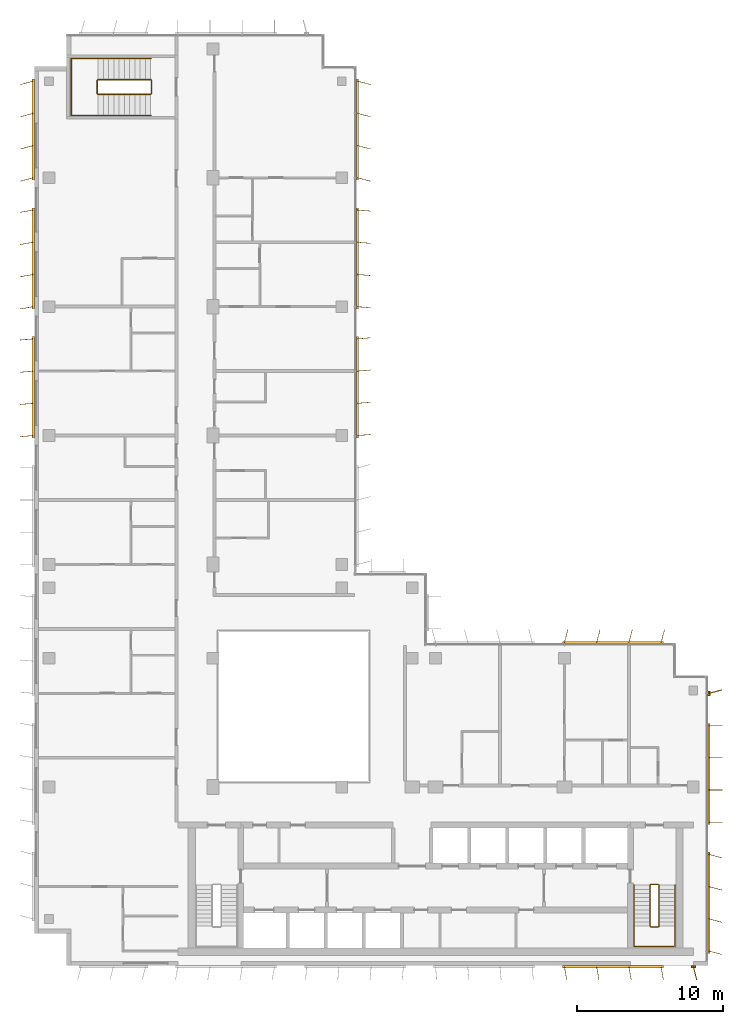
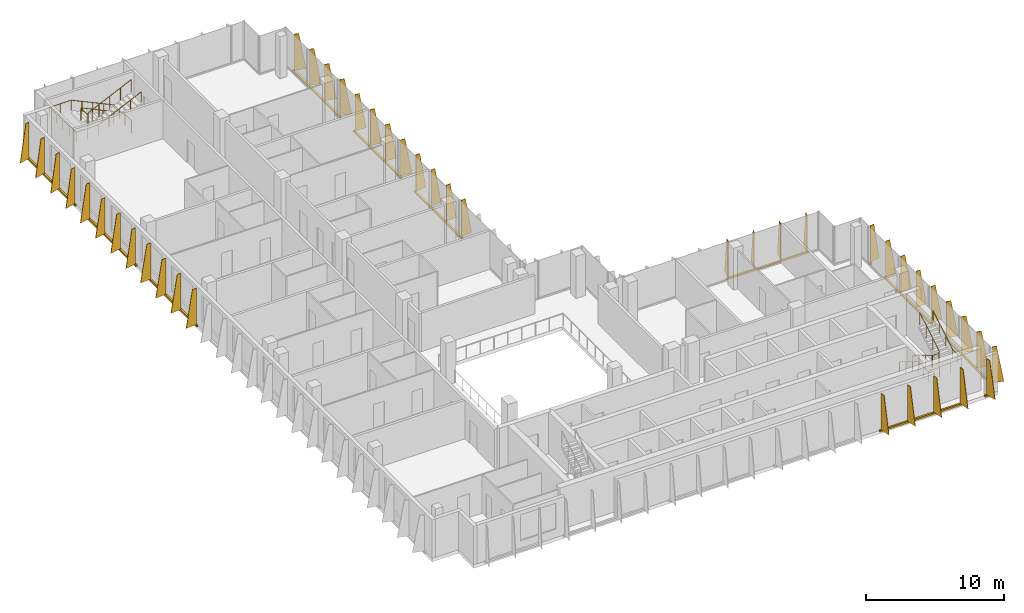
# One storey, part 15 of 16: 12 shading devices, 4 railings.
"""IFC4 building model written with IfcOpenShell, lengths in metres."""

import ifcopenshell
import ifcopenshell.guid

model = None  # the IFC model being written
_history = None  # IfcOwnerHistory: only IFC2X3 demands one
_inside = {}  # id of a spatial element -> (the spatial element, [elements in it])
_under = {}  # id of a project, library or spatial element -> (it, [spatial elements below it])
_declared = {}  # id of a project -> (the project, [libraries it declares])
_typed = {}  # id of a type object -> (the type object, [elements of that type])
_made_of = {}  # id of a material, layer set ... -> (it, [elements and type objects made of it])


def new_model(schema):
    """Start an empty IFC model of exactly this schema.

    Asked for "IFC4X3", IfcOpenShell would pick the latest addendum, in which some entities
    have other attributes; the version numbers below select the first issue.
    IFC2X3 requires an IfcOwnerHistory on every rooted entity: one is made here for all.
    """
    global model, _history
    if schema == "IFC4X3":
        model = ifcopenshell.file(schema_version=(4, 3, 0, 0))
    else:
        model = ifcopenshell.file(schema=schema)
    _inside.clear()
    _under.clear()
    _declared.clear()
    _typed.clear()
    _made_of.clear()
    _history = None
    if model.schema == "IFC2X3":
        org = make("IfcOrganization", Name="unknown")
        user = make(
            "IfcPersonAndOrganization",
            ThePerson=make("IfcPerson", FamilyName="unknown"),
            TheOrganization=org,
        )
        app = make(
            "IfcApplication",
            ApplicationDeveloper=org,
            Version="unknown",
            ApplicationFullName="unknown",
            ApplicationIdentifier="unknown",
        )
        _history = make(
            "IfcOwnerHistory",
            OwningUser=user,
            OwningApplication=app,
            ChangeAction="ADDED",
            CreationDate=0,
        )
    return model


def make(cls, **values):
    """One entity of the class cls with the attributes given. An attribute that is None is left unset."""
    return model.create_entity(
        cls, **{name: value for name, value in values.items() if value is not None}
    )


def rooted(cls, **values):
    """An entity with a GlobalId (a new one), such as an element, a storey or a relation."""
    return make(cls, GlobalId=ifcopenshell.guid.new(), OwnerHistory=_history, **values)


def si_unit(unit_type, name, prefix=None):
    """IfcSIUnit, for example si_unit("LENGTHUNIT", "METRE", prefix="MILLI")."""
    return make("IfcSIUnit", UnitType=unit_type, Prefix=prefix, Name=name)


def assignment(units):
    """IfcUnitAssignment: the units of a project."""
    return None if units is None else make("IfcUnitAssignment", Units=units)


def point(xyz):
    """IfcCartesianPoint."""
    return None if xyz is None else make("IfcCartesianPoint", Coordinates=xyz)


def direction(xyz):
    """IfcDirection."""
    return None if xyz is None else make("IfcDirection", DirectionRatios=xyz)


def frame(location, z_axis=None, x_axis=None):
    """IfcAxis2Placement3D, a coordinate frame: its origin and axes. An axis left out is left unset."""
    return make(
        "IfcAxis2Placement3D",
        Location=point(location),
        Axis=direction(z_axis),
        RefDirection=direction(x_axis),
    )


def frame_2d(location, x_axis=None):
    """IfcAxis2Placement2D, a coordinate frame in the plane: its origin and x axis."""
    return make(
        "IfcAxis2Placement2D", Location=point(location), RefDirection=direction(x_axis)
    )


def origin():
    """The frame at (0, 0, 0) with its axes left unset."""
    return frame((0.0, 0.0, 0.0))


def origin_2d():
    """The frame at (0, 0) in the plane with its x axis left unset."""
    return frame_2d((0.0, 0.0))


def place(relative_to, where):
    """IfcLocalPlacement: puts the frame where relative to a parent placement (None: the world)."""
    return make(
        "IfcLocalPlacement", PlacementRelTo=relative_to, RelativePlacement=where
    )


def context(
    kind, dimensions, precision=None, world=None, true_north=None, identifier=None
):
    """IfcGeometricRepresentationContext, for example the 3D "Model" context."""
    return make(
        "IfcGeometricRepresentationContext",
        ContextIdentifier=identifier,
        ContextType=kind,
        CoordinateSpaceDimension=dimensions,
        Precision=precision,
        WorldCoordinateSystem=world,
        TrueNorth=true_north,
    )


def subcontext(parent, identifier, kind, view, scale=None):
    """IfcGeometricRepresentationSubContext, for example "Body" below "Model"."""
    return make(
        "IfcGeometricRepresentationSubContext",
        ContextIdentifier=identifier,
        ContextType=kind,
        ParentContext=parent,
        TargetScale=scale,
        TargetView=view,
    )


def project(units=None, contexts=None):
    """IfcProject with its units and contexts."""
    return rooted(
        "IfcProject",
        Name="project",
        RepresentationContexts=contexts,
        UnitsInContext=assignment(units),
    )


def spatial(cls, under=None, at=None, **own):
    """A site, building, storey or space (cls), placed at a placement, below another one or the project."""
    s = rooted(cls, ObjectPlacement=at, **own)
    if under is not None:
        _under.setdefault(under.id(), (under, []))[1].append(s)
    return s


def polyline(points):
    """IfcPolyline through the points."""
    return make("IfcPolyline", Points=[point(p) for p in points])


def profile(cls, at=None, kind="AREA", **sizes):
    """A parametric profile (cls). Its sizes go by their IFC names, for example OverallWidth=200.0."""
    return make(cls, ProfileType=kind, Position=at, **sizes)


def rectangle(**sizes):
    """IfcRectangleProfileDef."""
    return profile("IfcRectangleProfileDef", **sizes)


def circle(**sizes):
    """IfcCircleProfileDef."""
    return profile("IfcCircleProfileDef", **sizes)


def outline(outer, holes=None, kind="AREA"):
    """IfcArbitraryClosedProfileDef: a profile drawn as a closed curve; with holes, ...WithVoids."""
    if holes is None:
        return make("IfcArbitraryClosedProfileDef", ProfileType=kind, OuterCurve=outer)
    return make(
        "IfcArbitraryProfileDefWithVoids",
        ProfileType=kind,
        OuterCurve=outer,
        InnerCurves=holes,
    )


def extrude(swept, where, along, depth):
    """IfcExtrudedAreaSolid: the profile swept, set in the frame where, extruded along a direction by depth."""
    return make(
        "IfcExtrudedAreaSolid",
        SweptArea=swept,
        Position=where,
        ExtrudedDirection=direction(along),
        Depth=depth,
    )


def shape(context_of_items, identifier, shape_type, items):
    """IfcShapeRepresentation: the items that make up one representation, for example the "Body"."""
    return make(
        "IfcShapeRepresentation",
        ContextOfItems=context_of_items,
        RepresentationIdentifier=identifier,
        RepresentationType=shape_type,
        Items=items,
    )


def source(mapping_origin, context_of_items, identifier, shape_type, items):
    """IfcRepresentationMap: a shape defined once, which mapped items show again and again."""
    return make(
        "IfcRepresentationMap",
        MappingOrigin=mapping_origin,
        MappedRepresentation=shape(context_of_items, identifier, shape_type, items),
    )


def transform(
    local_origin,
    x_axis=None,
    y_axis=None,
    z_axis=None,
    scale=None,
    scale2=None,
    scale3=None,
    uniform=True,
):
    """IfcCartesianTransformationOperator3D, or its non-uniform kind. x_axis, y_axis, z_axis: its Axis1, 2, 3."""
    if uniform:
        return make(
            "IfcCartesianTransformationOperator3D",
            Axis1=direction(x_axis),
            Axis2=direction(y_axis),
            LocalOrigin=point(local_origin),
            Scale=scale,
            Axis3=direction(z_axis),
        )
    return make(
        "IfcCartesianTransformationOperator3DnonUniform",
        Axis1=direction(x_axis),
        Axis2=direction(y_axis),
        LocalOrigin=point(local_origin),
        Scale=scale,
        Axis3=direction(z_axis),
        Scale2=scale2,
        Scale3=scale3,
    )


def mapped(mapping_source, mapping_target):
    """IfcMappedItem: shows the shape of a source again, moved by a transform."""
    return make(
        "IfcMappedItem", MappingSource=mapping_source, MappingTarget=mapping_target
    )


def material(Name=None, Category=None):
    """IfcMaterial."""
    return make("IfcMaterial", Name=Name, Category=Category)


def layer(
    of_material, thickness, ventilated=None, Name=None, Category=None, Priority=None
):
    """IfcMaterialLayer: one layer of a wall or slab, of a material (None: an air gap)."""
    return make(
        "IfcMaterialLayer",
        Material=of_material,
        LayerThickness=thickness,
        IsVentilated=ventilated,
        Name=Name,
        Category=Category,
        Priority=Priority,
    )


def layer_set(layers, Name=None):
    """IfcMaterialLayerSet."""
    return make("IfcMaterialLayerSet", MaterialLayers=layers, LayerSetName=Name)


def made_of(thing, what):
    """Note that an element or type object is made of a material, layer set ...; save() writes the relation."""
    if what is not None:
        _made_of.setdefault(what.id(), (what, []))[1].append(thing)
    return thing


def type_object(cls, material=None, **own):
    """A type object (cls), such as IfcWallType, which elements share."""
    return made_of(rooted(cls, **own), material)


def element(
    cls,
    number,
    at=None,
    inside=None,
    cuts=None,
    type_object=None,
    material=None,
    context=None,
    identifier="Body",
    shape_type=None,
    held_by="IfcProductDefinitionShape",
    body=None,
    shapes=None,
    **own,
):
    """One element of the class cls, such as IfcWall. Its Tag is "e" and its number.

    at: its placement. inside: the storey or other place that contains it. cuts: it is an
    opening in that element (IfcRelVoidsElement). A single representation is given by context,
    identifier, shape_type and body (its items); several are given by shapes. held_by: the class
    of the entity that holds the representations. save() writes the other relations.
    """
    e = rooted(cls, Tag="e%d" % number, ObjectPlacement=at, **own)
    if body is not None:
        shapes = [shape(context, identifier, shape_type, body)]
    if shapes is not None:
        e.Representation = make(held_by, Representations=shapes)
    if inside is not None:
        _inside.setdefault(inside.id(), (inside, []))[1].append(e)
    if cuts is not None:
        rooted(
            "IfcRelVoidsElement", RelatingBuildingElement=cuts, RelatedOpeningElement=e
        )
    if type_object is not None:
        _typed.setdefault(type_object.id(), (type_object, []))[1].append(e)
    return made_of(e, material)


def aggregate(whole, parts):
    """IfcRelAggregates: a whole, such as a stair, and the parts it consists of."""
    return rooted("IfcRelAggregates", RelatingObject=whole, RelatedObjects=parts)


def save(model, path):
    """Write the relations noted so far, then the file.

    IfcRelAggregates (storeys below a building ...), IfcRelContainedInSpatialStructure (elements
    in a storey), IfcRelDefinesByType, IfcRelAssociatesMaterial and IfcRelDeclares: one each for
    every whole, place, type object, material and project.
    """
    for whole, parts in _under.values():
        aggregate(whole, parts)
    for where, things in _inside.values():
        rooted(
            "IfcRelContainedInSpatialStructure",
            RelatedElements=things,
            RelatingStructure=where,
        )
    for kind, things in _typed.values():
        rooted("IfcRelDefinesByType", RelatedObjects=things, RelatingType=kind)
    for what, things in _made_of.values():
        rooted("IfcRelAssociatesMaterial", RelatedObjects=things, RelatingMaterial=what)
    for by, libraries in _declared.values():
        rooted("IfcRelDeclares", RelatingContext=by, RelatedDefinitions=libraries)
    model.write(path)


model = new_model("IFC4")

# Units and contexts
model_context = context("Model", 3, precision=1e-05, world=origin(), true_north=direction((0.0, 1.0)))
body_context = subcontext(model_context, "Body", "Model", "MODEL_VIEW")
ifc_project = project(units=[si_unit("LENGTHUNIT", "METRE"), si_unit("AREAUNIT", "SQUARE_METRE"), si_unit("VOLUMEUNIT", "CUBIC_METRE"), si_unit("PLANEANGLEUNIT", "RADIAN"), si_unit("MASSUNIT", "GRAM", prefix="KILO")], contexts=[model_context])

# Site, building, storey
site_placement = place(None, origin())
site = spatial("IfcSite", under=ifc_project, at=site_placement, CompositionType="ELEMENT")
building_placement = place(site_placement, origin())
building = spatial("IfcBuilding", under=site, at=building_placement, Name="Kemantara Hotel Tower", CompositionType="ELEMENT")
storey_placement = place(building_placement, frame((0.0, 0.0, 287.0)))
storey = spatial("IfcBuildingStorey", under=building, at=storey_placement, Name="L72", CompositionType="ELEMENT", Elevation=287.0)

# Railings
ifc_material_1 = material(Name="Stainless steel balustrade", Category="steel")
railing_type_1 = type_object("IfcRailingType", Name="Stair guard 1100 mm", PredefinedType="GUARDRAIL", material=ifc_material_1)
railing_1_placement = place(storey_placement, frame((42.64990234375, 5.5, 3.699951171875)))
element("IfcRailing", 1, at=railing_1_placement, inside=storey, type_object=railing_type_1, Name="L72 ST2 stair guard 1", PredefinedType="GUARDRAIL", context=body_context, shape_type="SweptSolid", body=[
    extrude(circle(Radius=0.02392578125, at=origin_2d()), frame((0.0, 0.0, 1.076171875), z_axis=(0.0, -0.857242210791, -0.514913383045), x_axis=(1.0, 0.0, 0.0)), (0.0, 0.0, 1.0), 3.266357421875),
    extrude(circle(Radius=0.02392578125, at=origin_2d()), frame((0.0, -2.800048828125, -0.60595703125), z_axis=(-0.273343290215, -0.274683208305, -0.921863645432), x_axis=(0.708833529934, -0.705375805398, 0.0)), (0.0, 0.0, 1.0), 0.18212890625),
    extrude(circle(Radius=0.02392578125, at=origin_2d()), frame((-0.0498046875, -2.85009765625, -0.77392578125), z_axis=(-1.0, 0.0, 0.0), x_axis=(0.0, -1.0, 0.0)), (0.0, 0.0, 1.0), 0.5),
    extrude(circle(Radius=0.02392578125, at=origin_2d()), frame((-0.5498046875, -2.85009765625, -0.77392578125), z_axis=(-0.707106781187, 0.707106781187, 0.0), x_axis=(-0.707106781187, -0.707106781187, 0.0)), (0.0, 0.0, 1.0), 0.07080078125),
    extrude(circle(Radius=0.02392578125, at=origin_2d()), frame((-0.599853515625, -2.800048828125, -0.77392578125), z_axis=(0.0, 0.857242210791, -0.514913383045), x_axis=(-1.0, 0.0, 0.0)), (0.0, 0.0, 1.0), 3.266357421875),
    extrude(circle(Radius=0.02392578125, at=origin_2d()), frame((-0.599853515625, 0.0, -2.45556640625), z_axis=(0.274243871929, 0.274243871929, -0.92172696468), x_axis=(-0.707106781187, 0.707106781187, 0.0)), (0.0, 0.0, 1.0), 0.1826171875),
    extrude(circle(Radius=0.02392578125, at=origin_2d()), frame((-0.5498046875, 0.050048828125, -2.6240234375), z_axis=(1.0, 0.0, 0.0), x_axis=(0.0, 1.0, 0.0)), (0.0, 0.0, 1.0), 0.5),
    extrude(circle(Radius=0.02099609375, at=origin_2d()), origin(), (0.0, 0.0, 1.0), 1.052001953125),
    extrude(circle(Radius=0.02099609375, at=origin_2d()), frame((0.0, -0.933349609375, -0.560546875)), (0.0, 0.0, 1.0), 1.052001953125),
    extrude(circle(Radius=0.02099609375, at=origin_2d()), frame((0.0, -1.86669921875, -1.121337890625)), (0.0, 0.0, 1.0), 1.052001953125),
    extrude(circle(Radius=0.02099609375, at=origin_2d()), frame((0.0, -2.800048828125, -1.681884765625)), (0.0, 0.0, 1.0), 1.052001953125),
    extrude(circle(Radius=0.02099609375, at=origin_2d()), frame((-0.0498046875, -2.85009765625, -1.849853515625)), (0.0, 0.0, 1.0), 1.052001953125),
    extrude(circle(Radius=0.02099609375, at=origin_2d()), frame((-0.5498046875, -2.85009765625, -1.849853515625)), (0.0, 0.0, 1.0), 1.052001953125),
    extrude(circle(Radius=0.02099609375, at=origin_2d()), frame((-0.599853515625, -2.800048828125, -1.849853515625)), (0.0, 0.0, 1.0), 1.052001953125),
    extrude(circle(Radius=0.02099609375, at=origin_2d()), frame((-0.599853515625, -1.86669921875, -2.410400390625)), (0.0, 0.0, 1.0), 1.052001953125),
    extrude(circle(Radius=0.02099609375, at=origin_2d()), frame((-0.599853515625, -0.933349609375, -2.97119140625)), (0.0, 0.0, 1.0), 1.052001953125),
    extrude(circle(Radius=0.02099609375, at=origin_2d()), frame((-0.599853515625, 0.0, -3.53173828125)), (0.0, 0.0, 1.0), 1.052001953125),
    extrude(circle(Radius=0.02099609375, at=origin_2d()), frame((-0.5498046875, 0.050048828125, -3.699951171875)), (0.0, 0.0, 1.0), 1.052001953125),
    extrude(circle(Radius=0.02099609375, at=origin_2d()), frame((-0.0498046875, 0.050048828125, -3.699951171875)), (0.0, 0.0, 1.0), 1.052001953125),
])
railing_2_placement = place(storey_placement, frame((7.949951171875, 59.5, 3.699951171875)))
element("IfcRailing", 2, at=railing_2_placement, inside=storey, type_object=railing_type_1, Name="L72 ST4 stair guard 1", PredefinedType="GUARDRAIL", context=body_context, shape_type="SweptSolid", body=[
    extrude(circle(Radius=0.02392578125, at=origin_2d()), frame((0.0, 0.0, 1.076171875), z_axis=(-0.905994681025, 0.0, -0.423289071386), x_axis=(0.0, -1.0, 0.0)), (0.0, 0.0, 1.0), 3.973388671875),
    extrude(circle(Radius=0.02392578125, at=origin_2d()), frame((-3.599853515625, 0.0, -0.60595703125), z_axis=(-0.274582412415, 0.274582412415, -0.921525364591), x_axis=(-0.707106781187, -0.707106781187, 0.0)), (0.0, 0.0, 1.0), 0.182373046875),
    extrude(circle(Radius=0.02392578125, at=origin_2d()), frame((-3.64990234375, 0.050048828125, -0.77392578125), z_axis=(0.0, 1.0, 0.0), x_axis=(-1.0, 0.0, 0.0)), (0.0, 0.0, 1.0), 0.89990234375),
    extrude(circle(Radius=0.02392578125, at=origin_2d()), frame((-3.64990234375, 0.949951171875, -0.77392578125), z_axis=(0.707106781187, 0.707106781187, 0.0), x_axis=(-0.707106781187, 0.707106781187, 0.0)), (0.0, 0.0, 1.0), 0.07080078125),
    extrude(circle(Radius=0.02392578125, at=origin_2d()), frame((-3.599853515625, 1.0, -0.77392578125), z_axis=(0.905994681025, 0.0, -0.423289071386), x_axis=(0.0, 1.0, 0.0)), (0.0, 0.0, 1.0), 3.973388671875),
    extrude(circle(Radius=0.02392578125, at=origin_2d()), frame((0.0, 1.0, -2.45556640625), z_axis=(0.274243871929, -0.274243871929, -0.92172696468), x_axis=(0.707106781187, 0.707106781187, 0.0)), (0.0, 0.0, 1.0), 0.1826171875),
    extrude(circle(Radius=0.02392578125, at=origin_2d()), frame((0.050048828125, 0.949951171875, -2.6240234375), z_axis=(0.0, -1.0, 0.0), x_axis=(1.0, 0.0, 0.0)), (0.0, 0.0, 1.0), 0.89990234375),
    extrude(circle(Radius=0.02099609375, at=origin_2d()), origin(), (0.0, 0.0, 1.0), 1.052001953125),
    extrude(circle(Radius=0.02099609375, at=origin_2d()), frame((-0.89990234375, 0.0, -0.42041015625)), (0.0, 0.0, 1.0), 1.052001953125),
    extrude(circle(Radius=0.02099609375, at=origin_2d()), frame((-1.7998046875, 0.0, -0.8408203125)), (0.0, 0.0, 1.0), 1.052001953125),
    extrude(circle(Radius=0.02099609375, at=origin_2d()), frame((-2.699951171875, 0.0, -1.261474609375)), (0.0, 0.0, 1.0), 1.052001953125),
    extrude(circle(Radius=0.02099609375, at=origin_2d()), frame((-3.599853515625, 0.0, -1.681884765625)), (0.0, 0.0, 1.0), 1.052001953125),
    extrude(circle(Radius=0.02099609375, at=origin_2d()), frame((-3.64990234375, 0.050048828125, -1.849853515625)), (0.0, 0.0, 1.0), 1.052001953125),
    extrude(circle(Radius=0.02099609375, at=origin_2d()), frame((-3.64990234375, 0.949951171875, -1.849853515625)), (0.0, 0.0, 1.0), 1.052001953125),
    extrude(circle(Radius=0.02099609375, at=origin_2d()), frame((-3.599853515625, 1.0, -1.849853515625)), (0.0, 0.0, 1.0), 1.052001953125),
    extrude(circle(Radius=0.02099609375, at=origin_2d()), frame((-2.699951171875, 1.0, -2.270263671875)), (0.0, 0.0, 1.0), 1.052001953125),
    extrude(circle(Radius=0.02099609375, at=origin_2d()), frame((-1.7998046875, 1.0, -2.69091796875)), (0.0, 0.0, 1.0), 1.052001953125),
    extrude(circle(Radius=0.02099609375, at=origin_2d()), frame((-0.89990234375, 1.0, -3.111328125)), (0.0, 0.0, 1.0), 1.052001953125),
    extrude(circle(Radius=0.02099609375, at=origin_2d()), frame((0.0, 1.0, -3.53173828125)), (0.0, 0.0, 1.0), 1.052001953125),
    extrude(circle(Radius=0.02099609375, at=origin_2d()), frame((0.050048828125, 0.949951171875, -3.699951171875)), (0.0, 0.0, 1.0), 1.052001953125),
    extrude(circle(Radius=0.02099609375, at=origin_2d()), frame((0.050048828125, 0.050048828125, -3.699951171875)), (0.0, 0.0, 1.0), 1.052001953125),
])
railing_type_2 = type_object("IfcRailingType", Name="Stair handrail 900 mm", PredefinedType="HANDRAIL", material=ifc_material_1)
railing_3_placement = place(storey_placement, frame((40.949951171875, 5.5, 0.168212890625)))
element("IfcRailing", 3, at=railing_3_placement, inside=storey, type_object=railing_type_2, Name="L72 ST2 stair handrail 1", PredefinedType="HANDRAIL", context=body_context, shape_type="SweptSolid", body=[
    extrude(circle(Radius=0.02392578125, at=origin_2d()), frame((0.0, 0.0, 0.8759765625), z_axis=(0.0, -0.857242210791, 0.514913383045), x_axis=(1.0, 0.0, 0.0)), (0.0, 0.0, 1.0), 3.266357421875),
    extrude(circle(Radius=0.02392578125, at=origin_2d()), frame((0.0, -2.800048828125, 2.5576171875), z_axis=(0.0, -1.0, 0.0), x_axis=(1.0, 0.0, 0.0)), (0.0, 0.0, 1.0), 1.3798828125),
    extrude(circle(Radius=0.02392578125, at=origin_2d()), frame((0.0, -4.179931640625, 2.5576171875), z_axis=(0.998205573864, 0.0, 0.059880149518), x_axis=(0.0, 1.0, 0.0)), (0.0, 0.0, 1.0), 2.80517578125),
    extrude(circle(Radius=0.02392578125, at=origin_2d()), frame((2.800048828125, -4.179931640625, 2.7255859375), z_axis=(0.0, 1.0, 0.0), x_axis=(-1.0, 0.0, 0.0)), (0.0, 0.0, 1.0), 1.3798828125),
    extrude(circle(Radius=0.02392578125, at=origin_2d()), frame((2.800048828125, -2.800048828125, 2.7255859375), z_axis=(0.0, 0.857242210791, 0.514913383045), x_axis=(-1.0, 0.0, 0.0)), (0.0, 0.0, 1.0), 3.266357421875),
    extrude(circle(Radius=0.02099609375, at=origin_2d()), origin(), (0.0, 0.0, 1.0), 0.851806640625),
    extrude(circle(Radius=0.02099609375, at=origin_2d()), frame((0.0, -0.933349609375, 0.560546875)), (0.0, 0.0, 1.0), 0.851806640625),
    extrude(circle(Radius=0.02099609375, at=origin_2d()), frame((0.0, -1.86669921875, 1.121337890625)), (0.0, 0.0, 1.0), 0.851806640625),
    extrude(circle(Radius=0.02099609375, at=origin_2d()), frame((0.0, -2.800048828125, 1.681884765625)), (0.0, 0.0, 1.0), 0.851806640625),
    extrude(circle(Radius=0.02099609375, at=origin_2d()), frame((0.0, -3.489990234375, 1.681884765625)), (0.0, 0.0, 1.0), 0.851806640625),
    extrude(circle(Radius=0.02099609375, at=origin_2d()), frame((0.0, -4.179931640625, 1.681884765625)), (0.0, 0.0, 1.0), 0.851806640625),
    extrude(circle(Radius=0.02099609375, at=origin_2d()), frame((0.933349609375, -4.179931640625, 1.73779296875)), (0.0, 0.0, 1.0), 0.851806640625),
    extrude(circle(Radius=0.02099609375, at=origin_2d()), frame((1.86669921875, -4.179931640625, 1.7939453125)), (0.0, 0.0, 1.0), 0.851806640625),
    extrude(circle(Radius=0.02099609375, at=origin_2d()), frame((2.800048828125, -4.179931640625, 1.849853515625)), (0.0, 0.0, 1.0), 0.851806640625),
    extrude(circle(Radius=0.02099609375, at=origin_2d()), frame((2.800048828125, -3.489990234375, 1.849853515625)), (0.0, 0.0, 1.0), 0.851806640625),
    extrude(circle(Radius=0.02099609375, at=origin_2d()), frame((2.800048828125, -2.800048828125, 1.849853515625)), (0.0, 0.0, 1.0), 0.851806640625),
    extrude(circle(Radius=0.02099609375, at=origin_2d()), frame((2.800048828125, -1.86669921875, 2.410400390625)), (0.0, 0.0, 1.0), 0.851806640625),
    extrude(circle(Radius=0.02099609375, at=origin_2d()), frame((2.800048828125, -0.933349609375, 2.97119140625)), (0.0, 0.0, 1.0), 0.851806640625),
    extrude(circle(Radius=0.02099609375, at=origin_2d()), frame((2.800048828125, 0.0, 3.53173828125)), (0.0, 0.0, 1.0), 0.851806640625),
])
railing_4_placement = place(storey_placement, frame((7.949951171875, 61.949951171875, 0.168212890625)))
element("IfcRailing", 4, at=railing_4_placement, inside=storey, type_object=railing_type_2, Name="L72 ST4 stair handrail 1", PredefinedType="HANDRAIL", context=body_context, shape_type="SweptSolid", body=[
    extrude(circle(Radius=0.02392578125, at=origin_2d()), frame((0.0, 0.0, 0.8759765625), z_axis=(-0.905994681025, 0.0, 0.423289071386), x_axis=(0.0, -1.0, 0.0)), (0.0, 0.0, 1.0), 3.973388671875),
    extrude(circle(Radius=0.02392578125, at=origin_2d()), frame((-3.599853515625, 0.0, 2.5576171875), z_axis=(-1.0, 0.0, 0.0), x_axis=(0.0, -1.0, 0.0)), (0.0, 0.0, 1.0), 1.830078125),
    extrude(circle(Radius=0.02392578125, at=origin_2d()), frame((-5.429931640625, 0.0, 2.5576171875), z_axis=(0.0, -0.999073776461, 0.043030096294), x_axis=(1.0, 0.0, 0.0)), (0.0, 0.0, 1.0), 3.903564453125),
    extrude(circle(Radius=0.02392578125, at=origin_2d()), frame((-5.429931640625, -3.89990234375, 2.7255859375), z_axis=(1.0, 0.0, 0.0), x_axis=(0.0, 1.0, 0.0)), (0.0, 0.0, 1.0), 1.830078125),
    extrude(circle(Radius=0.02392578125, at=origin_2d()), frame((-3.599853515625, -3.89990234375, 2.7255859375), z_axis=(0.905994681025, 0.0, 0.423289071386), x_axis=(0.0, 1.0, 0.0)), (0.0, 0.0, 1.0), 3.973388671875),
    extrude(circle(Radius=0.02099609375, at=origin_2d()), origin(), (0.0, 0.0, 1.0), 0.851806640625),
    extrude(circle(Radius=0.02099609375, at=origin_2d()), frame((-0.89990234375, 0.0, 0.42041015625)), (0.0, 0.0, 1.0), 0.851806640625),
    extrude(circle(Radius=0.02099609375, at=origin_2d()), frame((-1.7998046875, 0.0, 0.8408203125)), (0.0, 0.0, 1.0), 0.851806640625),
    extrude(circle(Radius=0.02099609375, at=origin_2d()), frame((-2.699951171875, 0.0, 1.261474609375)), (0.0, 0.0, 1.0), 0.851806640625),
    extrude(circle(Radius=0.02099609375, at=origin_2d()), frame((-3.599853515625, 0.0, 1.681884765625)), (0.0, 0.0, 1.0), 0.851806640625),
    extrude(circle(Radius=0.02099609375, at=origin_2d()), frame((-4.514892578125, 0.0, 1.681884765625)), (0.0, 0.0, 1.0), 0.851806640625),
    extrude(circle(Radius=0.02099609375, at=origin_2d()), frame((-5.429931640625, 0.0, 1.681884765625)), (0.0, 0.0, 1.0), 0.851806640625),
    extrude(circle(Radius=0.02099609375, at=origin_2d()), frame((-5.429931640625, -0.97509765625, 1.723876953125)), (0.0, 0.0, 1.0), 0.851806640625),
    extrude(circle(Radius=0.02099609375, at=origin_2d()), frame((-5.429931640625, -1.949951171875, 1.765869140625)), (0.0, 0.0, 1.0), 0.851806640625),
    extrude(circle(Radius=0.02099609375, at=origin_2d()), frame((-5.429931640625, -2.9248046875, 1.807861328125)), (0.0, 0.0, 1.0), 0.851806640625),
    extrude(circle(Radius=0.02099609375, at=origin_2d()), frame((-5.429931640625, -3.89990234375, 1.849853515625)), (0.0, 0.0, 1.0), 0.851806640625),
    extrude(circle(Radius=0.02099609375, at=origin_2d()), frame((-4.514892578125, -3.89990234375, 1.849853515625)), (0.0, 0.0, 1.0), 0.851806640625),
    extrude(circle(Radius=0.02099609375, at=origin_2d()), frame((-3.599853515625, -3.89990234375, 1.849853515625)), (0.0, 0.0, 1.0), 0.851806640625),
    extrude(circle(Radius=0.02099609375, at=origin_2d()), frame((-2.699951171875, -3.89990234375, 2.270263671875)), (0.0, 0.0, 1.0), 0.851806640625),
    extrude(circle(Radius=0.02099609375, at=origin_2d()), frame((-1.7998046875, -3.89990234375, 2.69091796875)), (0.0, 0.0, 1.0), 0.851806640625),
    extrude(circle(Radius=0.02099609375, at=origin_2d()), frame((-0.89990234375, -3.89990234375, 3.111328125)), (0.0, 0.0, 1.0), 0.851806640625),
    extrude(circle(Radius=0.02099609375, at=origin_2d()), frame((0.0, -3.89990234375, 3.53173828125)), (0.0, 0.0, 1.0), 0.851806640625),
])

# Shading devices
ifc_material_2 = material(Name="Perforated aluminium plate 4 mm bronze anodised", Category="aluminium")
ifc_layer_1 = layer(ifc_material_2, 0.0400390625)
ifc_layer_set_1 = layer_set([ifc_layer_1], Name="Perforated aluminium plate 4 mm bronze anodised")
shading_device_type_1 = type_object("IfcShadingDeviceType", Name="SCREEN FIN CASSETTE, 4 BLADES AT -5.0 DEG, 3200 HIGH", PredefinedType="USERDEFINED", material=ifc_layer_set_1)
shared_shape_1 = source(origin(), body_context, "Body", "SweptSolid", [
    extrude(rectangle(XDim=6.89990234375, YDim=0.14990234375, at=origin_2d()), frame((3.300048828125, -0.074951171875, -0.14990234375), z_axis=(0.0, 0.0, 1.0), x_axis=(1.0, 0.0, 0.0)), (0.0, 0.0, 1.0), 0.14990234375),
    extrude(outline(polyline([(0.0, 0.0), (0.89990234375, 0.0), (0.35009765625, 3.199951171875), (0.0, 3.199951171875), (0.0, 0.0)])), frame((0.02001953125, -0.07666015625, 0.0), z_axis=(-0.996376129781, 0.085056498884, 0.0), x_axis=(-0.085056498884, -0.996376129781, 0.0)), (0.0, 0.0, 1.0), 0.040283203125),
    extrude(outline(polyline([(0.0, 0.0), (0.89990234375, 0.0), (0.35009765625, 3.199951171875), (0.0, 3.199951171875), (0.0, 0.0)])), frame((2.219970703125, -0.07666015625, 0.0), z_axis=(-0.996331773833, 0.085574508182, 0.0), x_axis=(-0.085574508182, -0.996331773833, 0.0)), (0.0, 0.0, 1.0), 0.0400390625),
    extrude(outline(polyline([(0.0, 0.0), (0.89990234375, 0.0), (0.35009765625, 3.199951171875), (0.0, 3.199951171875), (0.0, 0.0)])), frame((4.419921875, -0.07666015625, 0.0), z_axis=(-0.996331773833, 0.085574508182, 0.0), x_axis=(-0.085574508182, -0.996331773833, 0.0)), (0.0, 0.0, 1.0), 0.0400390625),
    extrude(outline(polyline([(0.0, 0.0), (0.89990234375, 0.0), (0.35009765625, 3.199951171875), (0.0, 3.199951171875), (0.0, 0.0)])), frame((6.619873046875, -0.07666015625, 0.0), z_axis=(-0.996331773833, 0.085574508182, 0.0), x_axis=(-0.085574508182, -0.996331773833, 0.0)), (0.0, 0.0, 1.0), 0.0400390625),
])
shading_device_1_placement = place(storey_placement, frame((22.0, 45.0, 0.10009765625), z_axis=(0.0, 0.0, 1.0), x_axis=(0.0, 1.0, 0.0)))
element("IfcShadingDevice", 5, at=shading_device_1_placement, inside=storey, type_object=shading_device_type_1, Name="SCREEN FIN CASSETTE L72 T4-R15-3", ObjectType="SCREEN FIN", PredefinedType="USERDEFINED", context=body_context, shape_type="MappedRepresentation", body=[
    mapped(shared_shape_1, transform((0.0, 0.0, 0.0))),
])
ifc_layer_2 = layer(ifc_material_2, 0.0400390625)
ifc_layer_set_2 = layer_set([ifc_layer_2], Name="Perforated aluminium plate 4 mm bronze anodised")
shading_device_type_2 = type_object("IfcShadingDeviceType", Name="SCREEN FIN CASSETTE, 4 BLADES AT +0.0 DEG, 3200 HIGH", PredefinedType="USERDEFINED", material=ifc_layer_set_2)
shared_shape_2 = source(origin(), body_context, "Body", "SweptSolid", [
    extrude(rectangle(XDim=6.89990234375, YDim=0.14990234375, at=origin_2d()), frame((3.300048828125, -0.074951171875, -0.14990234375), z_axis=(0.0, 0.0, 1.0), x_axis=(1.0, 0.0, 0.0)), (0.0, 0.0, 1.0), 0.14990234375),
    extrude(outline(polyline([(0.0, 0.0), (0.89990234375, 0.0), (0.35009765625, 3.199951171875), (0.0, 3.199951171875), (0.0, 0.0)])), frame((0.02001953125, -0.074951171875, 0.0), z_axis=(-1.0, 0.0, 0.0), x_axis=(0.0, -1.0, 0.0)), (0.0, 0.0, 1.0), 0.0400390625),
    extrude(outline(polyline([(0.0, 0.0), (0.89990234375, 0.0), (0.35009765625, 3.199951171875), (0.0, 3.199951171875), (0.0, 0.0)])), frame((2.219970703125, -0.074951171875, 0.0), z_axis=(-1.0, 0.0, 0.0), x_axis=(0.0, -1.0, 0.0)), (0.0, 0.0, 1.0), 0.0400390625),
    extrude(outline(polyline([(0.0, 0.0), (0.89990234375, 0.0), (0.35009765625, 3.199951171875), (0.0, 3.199951171875), (0.0, 0.0)])), frame((4.419921875, -0.074951171875, 0.0), z_axis=(-1.0, 0.0, 0.0), x_axis=(0.0, -1.0, 0.0)), (0.0, 0.0, 1.0), 0.0400390625),
    extrude(outline(polyline([(0.0, 0.0), (0.89990234375, 0.0), (0.35009765625, 3.199951171875), (0.0, 3.199951171875), (0.0, 0.0)])), frame((6.6201171875, -0.074951171875, 0.0), z_axis=(-1.0, 0.0, 0.0), x_axis=(0.0, -1.0, 0.0)), (0.0, 0.0, 1.0), 0.0400390625),
])
shading_device_2_placement = place(storey_placement, frame((46.0, 9.800048828125, 0.10009765625), z_axis=(0.0, 0.0, 1.0), x_axis=(0.0, 1.0, 0.0)))
element("IfcShadingDevice", 6, at=shading_device_2_placement, inside=storey, type_object=shading_device_type_2, Name="SCREEN FIN CASSETTE L72 T4-R09-2", ObjectType="SCREEN FIN", PredefinedType="USERDEFINED", context=body_context, shape_type="MappedRepresentation", body=[
    mapped(shared_shape_2, transform((0.0, 0.0, 0.0))),
])
ifc_layer_3 = layer(ifc_material_2, 0.0400390625)
ifc_layer_set_3 = layer_set([ifc_layer_3], Name="Perforated aluminium plate 4 mm bronze anodised")
shading_device_type_3 = type_object("IfcShadingDeviceType", Name="SCREEN FIN CASSETTE, 4 BLADES AT +5.0 DEG, 3200 HIGH", PredefinedType="USERDEFINED", material=ifc_layer_set_3)
shared_shape_3 = source(origin(), body_context, "Body", "SweptSolid", [
    extrude(rectangle(XDim=6.89990234375, YDim=0.14990234375, at=origin_2d()), frame((3.300048828125, -0.074951171875, -0.14990234375), z_axis=(0.0, 0.0, 1.0), x_axis=(1.0, 0.0, 0.0)), (0.0, 0.0, 1.0), 0.14990234375),
    extrude(outline(polyline([(0.0, 0.0), (0.89990234375, 0.0), (0.35009765625, 3.199951171875), (0.0, 3.199951171875), (0.0, 0.0)])), frame((0.02001953125, -0.0732421875, 0.0), z_axis=(-0.996376129781, -0.085056498884, 0.0), x_axis=(0.085056498884, -0.996376129781, 0.0)), (0.0, 0.0, 1.0), 0.040283203125),
    extrude(outline(polyline([(0.0, 0.0), (0.89990234375, 0.0), (0.35009765625, 3.199951171875), (0.0, 3.199951171875), (0.0, 0.0)])), frame((2.219970703125, -0.0732421875, 0.0), z_axis=(-0.996331773833, -0.085574508182, 0.0), x_axis=(0.085574508182, -0.996331773833, 0.0)), (0.0, 0.0, 1.0), 0.0400390625),
    extrude(outline(polyline([(0.0, 0.0), (0.89990234375, 0.0), (0.35009765625, 3.199951171875), (0.0, 3.199951171875), (0.0, 0.0)])), frame((4.419921875, -0.0732421875, 0.0), z_axis=(-0.996331773833, -0.085574508182, 0.0), x_axis=(0.085574508182, -0.996331773833, 0.0)), (0.0, 0.0, 1.0), 0.0400390625),
    extrude(outline(polyline([(0.0, 0.0), (0.89990234375, 0.0), (0.35009765625, 3.199951171875), (0.0, 3.199951171875), (0.0, 0.0)])), frame((6.619873046875, -0.0732421875, 0.0), z_axis=(-0.996331773833, -0.085574508182, 0.0), x_axis=(0.085574508182, -0.996331773833, 0.0)), (0.0, 0.0, 1.0), 0.0400390625),
])
for number, where, z_axis, x_axis, name in (
    (7, (0.0, 42.800048828125, 0.10009765625), (0.0, 0.0, 1.0), (0.0, -1.0, 0.0), "SCREEN FIN CASSETTE L72 T4-R05-3"),
    (8, (22.0, 36.199951171875, 0.10009765625), (0.0, 0.0, 1.0), (0.0, 1.0, 0.0), "SCREEN FIN CASSETTE L72 T4-R15-2"),
):
    element("IfcShadingDevice", number, at=place(storey_placement, frame(where, z_axis=z_axis, x_axis=x_axis)), inside=storey, type_object=shading_device_type_3, Name=name, ObjectType="SCREEN FIN", PredefinedType="USERDEFINED", context=body_context, shape_type="MappedRepresentation", body=[
        mapped(shared_shape_3, transform((0.0, 0.0, 0.0))),
    ])
ifc_layer_4 = layer(ifc_material_2, 0.0400390625)
ifc_layer_set_4 = layer_set([ifc_layer_4], Name="Perforated aluminium plate 4 mm bronze anodised")
shading_device_type_4 = type_object("IfcShadingDeviceType", Name="SCREEN FIN CASSETTE, 4 BLADES AT +10.0 DEG, 3200 HIGH", PredefinedType="USERDEFINED", material=ifc_layer_set_4)
shared_shape_4 = source(origin(), body_context, "Body", "SweptSolid", [
    extrude(rectangle(XDim=6.89990234375, YDim=0.14990234375, at=origin_2d()), frame((3.300048828125, -0.074951171875, -0.14990234375), z_axis=(0.0, 0.0, 1.0), x_axis=(1.0, 0.0, 0.0)), (0.0, 0.0, 1.0), 0.14990234375),
    extrude(outline(polyline([(0.0, 0.0), (0.89990234375, 0.0), (0.35009765625, 3.199951171875), (0.0, 3.199951171875), (0.0, 0.0)])), frame((0.019775390625, -0.071533203125, 0.0), z_axis=(-0.985389793052, -0.170314285219, 0.0), x_axis=(0.170314285219, -0.985389793052, 0.0)), (0.0, 0.0, 1.0), 0.0400390625),
    extrude(outline(polyline([(0.0, 0.0), (0.89990234375, 0.0), (0.35009765625, 3.199951171875), (0.0, 3.199951171875), (0.0, 0.0)])), frame((2.2197265625, -0.071533203125, 0.0), z_axis=(-0.98521175482, -0.171341174751, 0.0), x_axis=(0.171341174751, -0.98521175482, 0.0)), (0.0, 0.0, 1.0), 0.039794921875),
    extrude(outline(polyline([(0.0, 0.0), (0.89990234375, 0.0), (0.35009765625, 3.199951171875), (0.0, 3.199951171875), (0.0, 0.0)])), frame((4.419677734375, -0.071533203125, 0.0), z_axis=(-0.98521175482, -0.171341174751, 0.0), x_axis=(0.171341174751, -0.98521175482, 0.0)), (0.0, 0.0, 1.0), 0.039794921875),
    extrude(outline(polyline([(0.0, 0.0), (0.89990234375, 0.0), (0.35009765625, 3.199951171875), (0.0, 3.199951171875), (0.0, 0.0)])), frame((6.61962890625, -0.071533203125, 0.0), z_axis=(-0.98521175482, -0.171341174751, 0.0), x_axis=(0.171341174751, -0.98521175482, 0.0)), (0.0, 0.0, 1.0), 0.039794921875),
])
for number, where, z_axis, x_axis, name in (
    (9, (0.0, 51.60009765625, 0.10009765625), (0.0, 0.0, 1.0), (0.0, -1.0, 0.0), "SCREEN FIN CASSETTE L72 T4-R05-2"),
    (10, (36.199951171875, 0.0, 0.10009765625), (0.0, 0.0, 1.0), (1.0, 0.0, 0.0), "SCREEN FIN CASSETTE L72 T4-R08-5"),
):
    element("IfcShadingDevice", number, at=place(storey_placement, frame(where, z_axis=z_axis, x_axis=x_axis)), inside=storey, type_object=shading_device_type_4, Name=name, ObjectType="SCREEN FIN", PredefinedType="USERDEFINED", context=body_context, shape_type="MappedRepresentation", body=[
        mapped(shared_shape_4, transform((0.0, 0.0, 0.0))),
    ])
ifc_layer_5 = layer(ifc_material_2, 0.0400390625)
ifc_layer_set_5 = layer_set([ifc_layer_5], Name="Perforated aluminium plate 4 mm bronze anodised")
shading_device_type_5 = type_object("IfcShadingDeviceType", Name="SCREEN FIN CASSETTE, 4 BLADES AT +15.0 DEG, 3200 HIGH", PredefinedType="USERDEFINED", material=ifc_layer_set_5)
shared_shape_5 = source(origin(), body_context, "Body", "SweptSolid", [
    extrude(rectangle(XDim=6.89990234375, YDim=0.14990234375, at=origin_2d()), frame((3.300048828125, -0.074951171875, -0.14990234375), z_axis=(0.0, 0.0, 1.0), x_axis=(1.0, 0.0, 0.0)), (0.0, 0.0, 1.0), 0.14990234375),
    extrude(outline(polyline([(0.0, 0.0), (0.89990234375, 0.0), (0.35009765625, 3.199951171875), (0.0, 3.199951171875), (0.0, 0.0)])), frame((0.019287109375, -0.06982421875, 0.0), z_axis=(-0.966437683387, -0.256901156343, 0.0), x_axis=(0.256901156343, -0.966437683387, 0.0)), (0.0, 0.0, 1.0), 0.039794921875),
    extrude(outline(polyline([(0.0, 0.0), (0.89990234375, 0.0), (0.35009765625, 3.199951171875), (0.0, 3.199951171875), (0.0, 0.0)])), frame((2.21923828125, -0.06982421875, 0.0), z_axis=(-0.966437683387, -0.256901156343, 0.0), x_axis=(0.256901156343, -0.966437683387, 0.0)), (0.0, 0.0, 1.0), 0.039794921875),
    extrude(outline(polyline([(0.0, 0.0), (0.89990234375, 0.0), (0.35009765625, 3.199951171875), (0.0, 3.199951171875), (0.0, 0.0)])), frame((4.41943359375, -0.06982421875, 0.0), z_axis=(-0.966837822169, -0.255391122837, 0.0), x_axis=(0.255391122837, -0.966837822169, 0.0)), (0.0, 0.0, 1.0), 0.0400390625),
    extrude(outline(polyline([(0.0, 0.0), (0.89990234375, 0.0), (0.35009765625, 3.199951171875), (0.0, 3.199951171875), (0.0, 0.0)])), frame((6.619384765625, -0.06982421875, 0.0), z_axis=(-0.966837822169, -0.255391122837, 0.0), x_axis=(0.255391122837, -0.966837822169, 0.0)), (0.0, 0.0, 1.0), 0.0400390625),
])
shading_device_3_placement = place(storey_placement, frame((0.0, 60.39990234375, 0.10009765625), z_axis=(0.0, 0.0, 1.0), x_axis=(0.0, -1.0, 0.0)))
element("IfcShadingDevice", 11, at=shading_device_3_placement, inside=storey, type_object=shading_device_type_5, Name="SCREEN FIN CASSETTE L72 T4-R05-1", ObjectType="SCREEN FIN", PredefinedType="USERDEFINED", context=body_context, shape_type="MappedRepresentation", body=[
    mapped(shared_shape_5, transform((0.0, 0.0, 0.0))),
])
ifc_layer_6 = layer(ifc_material_2, 0.0400390625)
ifc_layer_set_6 = layer_set([ifc_layer_6], Name="Perforated aluminium plate 4 mm bronze anodised")
shading_device_type_6 = type_object("IfcShadingDeviceType", Name="SCREEN FIN CASSETTE, 4 BLADES AT -15.0 DEG, 3200 HIGH", PredefinedType="USERDEFINED", material=ifc_layer_set_6)
shared_shape_6 = source(origin(), body_context, "Body", "SweptSolid", [
    extrude(rectangle(XDim=6.89990234375, YDim=0.14990234375, at=origin_2d()), frame((3.300048828125, -0.074951171875, -0.14990234375), z_axis=(0.0, 0.0, 1.0), x_axis=(1.0, 0.0, 0.0)), (0.0, 0.0, 1.0), 0.14990234375),
    extrude(outline(polyline([(0.0, 0.0), (0.89990234375, 0.0), (0.35009765625, 3.199951171875), (0.0, 3.199951171875), (0.0, 0.0)])), frame((0.019287109375, -0.080078125, 0.0), z_axis=(-0.966437683387, 0.256901156343, 0.0), x_axis=(-0.256901156343, -0.966437683387, 0.0)), (0.0, 0.0, 1.0), 0.039794921875),
    extrude(outline(polyline([(0.0, 0.0), (0.89990234375, 0.0), (0.35009765625, 3.199951171875), (0.0, 3.199951171875), (0.0, 0.0)])), frame((2.21923828125, -0.080078125, 0.0), z_axis=(-0.966437683387, 0.256901156343, 0.0), x_axis=(-0.256901156343, -0.966437683387, 0.0)), (0.0, 0.0, 1.0), 0.039794921875),
    extrude(outline(polyline([(0.0, 0.0), (0.89990234375, 0.0), (0.35009765625, 3.199951171875), (0.0, 3.199951171875), (0.0, 0.0)])), frame((4.41943359375, -0.080078125, 0.0), z_axis=(-0.966837822169, 0.255391122837, 0.0), x_axis=(-0.255391122837, -0.966837822169, 0.0)), (0.0, 0.0, 1.0), 0.0400390625),
    extrude(outline(polyline([(0.0, 0.0), (0.89990234375, 0.0), (0.35009765625, 3.199951171875), (0.0, 3.199951171875), (0.0, 0.0)])), frame((6.619384765625, -0.080078125, 0.0), z_axis=(-0.966837822169, 0.255391122837, 0.0), x_axis=(-0.255391122837, -0.966837822169, 0.0)), (0.0, 0.0, 1.0), 0.0400390625),
])
for number, where, z_axis, x_axis, name in (
    (12, (46.0, 1.0, 0.10009765625), (0.0, 0.0, 1.0), (0.0, 1.0, 0.0), "SCREEN FIN CASSETTE L72 T4-R09-1"),
    (13, (42.800048828125, 22.0, 0.10009765625), (0.0, 0.0, 1.0), (-1.0, 0.0, 0.0), "SCREEN FIN CASSETTE L72 T4-R12-1"),
    (14, (22.0, 53.800048828125, 0.10009765625), (0.0, 0.0, 1.0), (0.0, 1.0, 0.0), "SCREEN FIN CASSETTE L72 T4-R15-4"),
):
    element("IfcShadingDevice", number, at=place(storey_placement, frame(where, z_axis=z_axis, x_axis=x_axis)), inside=storey, type_object=shading_device_type_6, Name=name, ObjectType="SCREEN FIN", PredefinedType="USERDEFINED", context=body_context, shape_type="MappedRepresentation", body=[
        mapped(shared_shape_6, transform((0.0, 0.0, 0.0))),
    ])
ifc_layer_7 = layer(ifc_material_2, 0.0400390625)
ifc_layer_set_7 = layer_set([ifc_layer_7], Name="Perforated aluminium plate 4 mm bronze anodised")
shading_device_type_7 = type_object("IfcShadingDeviceType", Name="SCREEN FIN CASSETTE, 1 BLADE AT +15.0 DEG, 3200 HIGH", PredefinedType="USERDEFINED", material=ifc_layer_set_7)
shared_shape_7 = source(origin(), body_context, "Body", "SweptSolid", [
    extrude(rectangle(XDim=0.300048828125, YDim=0.14990234375, at=origin_2d()), frame((0.0, -0.074951171875, -0.14990234375), z_axis=(0.0, 0.0, 1.0), x_axis=(1.0, 0.0, 0.0)), (0.0, 0.0, 1.0), 0.14990234375),
    extrude(outline(polyline([(0.0, 0.0), (0.89990234375, 0.0), (0.35009765625, 3.199951171875), (0.0, 3.199951171875), (0.0, 0.0)])), frame((0.019287109375, -0.06982421875, 0.0), z_axis=(-0.966437683387, -0.256901156343, 0.0), x_axis=(0.256901156343, -0.966437683387, 0.0)), (0.0, 0.0, 1.0), 0.039794921875),
])
for number, where, z_axis, x_axis, name in (
    (15, (45.0, 0.0, 0.10009765625), (0.0, 0.0, 1.0), (1.0, 0.0, 0.0), "SCREEN FIN CASSETTE L72 T4-R08-6"),
    (16, (46.0, 18.60009765625, 0.10009765625), (0.0, 0.0, 1.0), (0.0, 1.0, 0.0), "SCREEN FIN CASSETTE L72 T4-R09-3"),
):
    element("IfcShadingDevice", number, at=place(storey_placement, frame(where, z_axis=z_axis, x_axis=x_axis)), inside=storey, type_object=shading_device_type_7, Name=name, ObjectType="SCREEN FIN", PredefinedType="USERDEFINED", context=body_context, shape_type="MappedRepresentation", body=[
        mapped(shared_shape_7, transform((0.0, 0.0, 0.0))),
    ])

save(model, "model.ifc")
